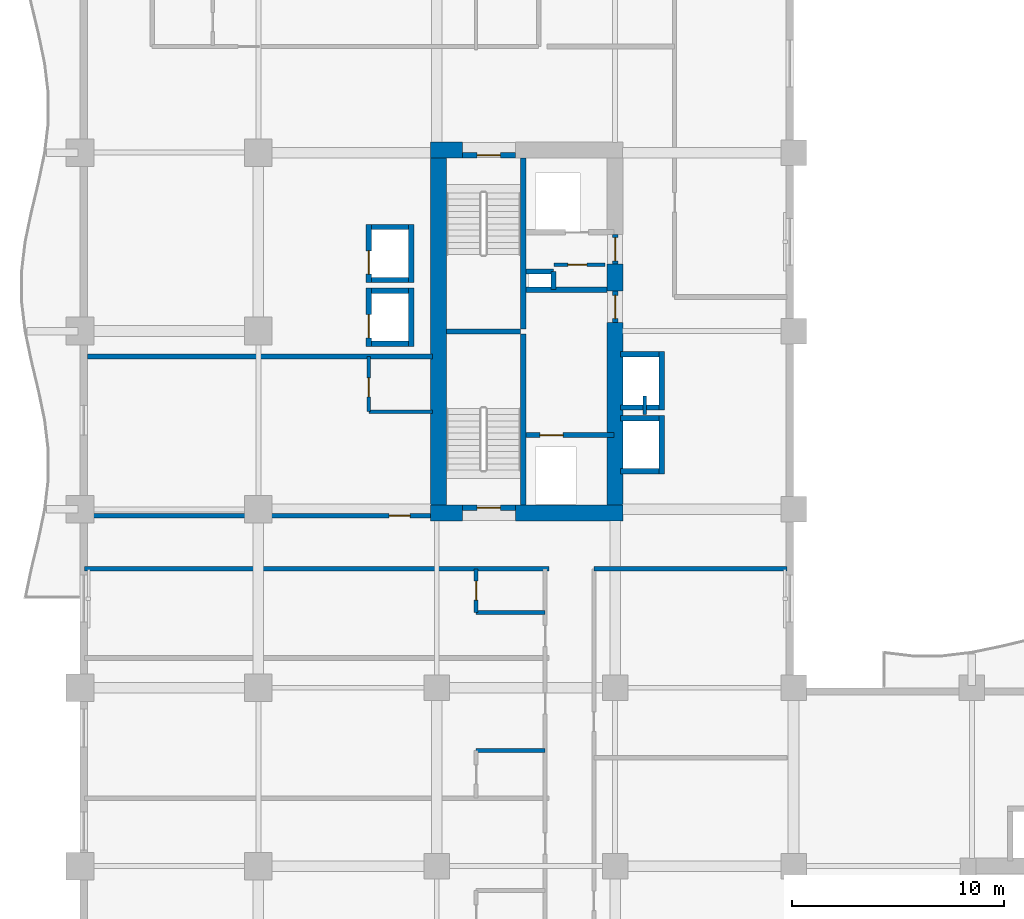
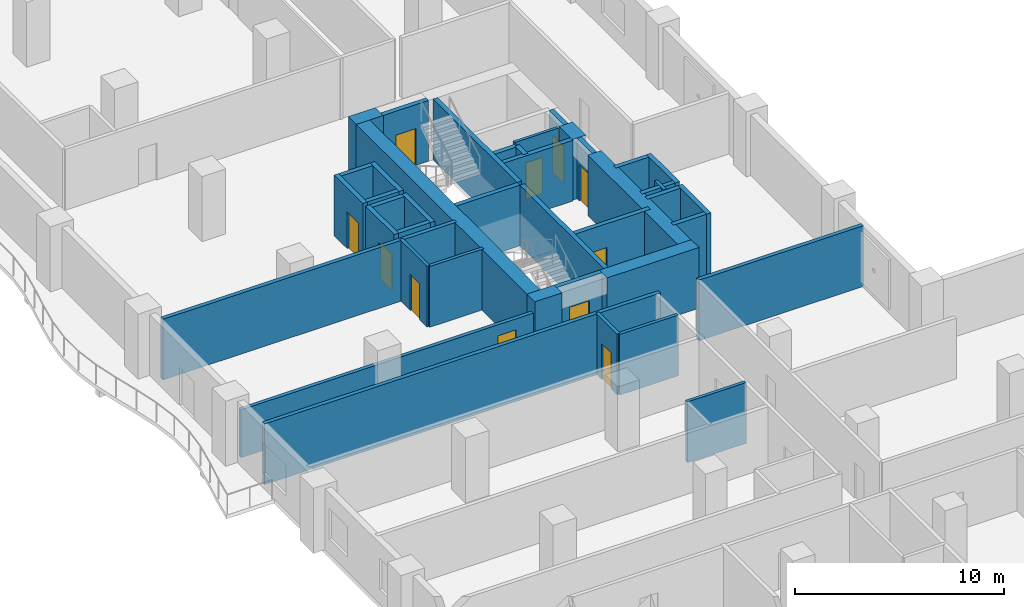
# One storey, part 8 of 18: 42 walls, 11 doors, 11 openings.
"""IFC4 building model written with IfcOpenShell, lengths in metres."""

from ifc_helpers import new_model, si_unit, direction, frame, frame_2d, origin, place, context, subcontext, project, spatial, rectangle, extrude, material, layer, layer_set, type_object, element, fill, save


model = new_model("IFC4")

# Units and contexts
model_context = context("Model", 3, precision=1e-05, world=origin(), true_north=direction((0.0, 1.0)))
body_context = subcontext(model_context, "Body", "Model", "MODEL_VIEW")
ifc_project = project(units=[si_unit("LENGTHUNIT", "METRE"), si_unit("AREAUNIT", "SQUARE_METRE"), si_unit("VOLUMEUNIT", "CUBIC_METRE"), si_unit("PLANEANGLEUNIT", "RADIAN"), si_unit("MASSUNIT", "GRAM", prefix="KILO")], contexts=[model_context])

# Site, building, storey
site_placement = place(None, origin())
site = spatial("IfcSite", under=ifc_project, at=site_placement, CompositionType="ELEMENT")
building_placement = place(site_placement, origin())
building = spatial("IfcBuilding", under=site, at=building_placement, Name="Koriwani Terraces Tower", CompositionType="ELEMENT")
storey_placement = place(building_placement, frame((0.0, 0.0, 115.199951171875)))
storey = spatial("IfcBuildingStorey", under=building, at=storey_placement, Name="L27", CompositionType="ELEMENT", Elevation=115.199951171875)

# Walls
ifc_material_1 = material(Name="Concrete C60/75", Category="concrete")
ifc_layer_1 = layer(ifc_material_1, 0.75, Name="Concrete C60/75")
ifc_layer_set_1 = layer_set([ifc_layer_1], Name="Concrete C60/75")
wall_type_1 = type_object("IfcWallType", Name="WALL_CORE_RC_750", PredefinedType="SHEAR", material=ifc_layer_set_1)
wall_1_placement = place(storey_placement, frame((16.5, 41.824951171875, 0.0), z_axis=(0.0, 0.0, 1.0), x_axis=(1.0, 0.0, 0.0)))
element("IfcWall", 1, at=wall_1_placement, inside=storey, type_object=wall_type_1, Name="L27 West Split Core Shear Wall S1", PredefinedType="SHEAR", context=body_context, shape_type="SweptSolid", body=[
    extrude(rectangle(XDim=1.5, YDim=0.75, at=frame_2d((0.75, 0.0))), origin(), (0.0, 0.0, 1.0), 3.550048828125),
])
wall_2_placement = place(storey_placement, frame((20.5, 41.824951171875, 0.0), z_axis=(0.0, 0.0, 1.0), x_axis=(1.0, 0.0, 0.0)))
element("IfcWall", 2, at=wall_2_placement, inside=storey, type_object=wall_type_1, Name="L27 West Split Core Shear Wall S2", PredefinedType="SHEAR", context=body_context, shape_type="SweptSolid", body=[
    extrude(rectangle(XDim=5.074951171875, YDim=0.75, at=frame_2d((2.53759765625, 0.0))), origin(), (0.0, 0.0, 1.0), 3.550048828125),
])
wall_3_placement = place(storey_placement, frame((16.5, 58.925048828125, 0.0), z_axis=(0.0, 0.0, 1.0), x_axis=(1.0, 0.0, 0.0)))
element("IfcWall", 3, at=wall_3_placement, inside=storey, type_object=wall_type_1, Name="L27 West Split Core Shear Wall N1", PredefinedType="SHEAR", context=body_context, shape_type="SweptSolid", body=[
    extrude(rectangle(XDim=1.5, YDim=0.75, at=frame_2d((0.75, 0.0))), origin(), (0.0, 0.0, 1.0), 3.550048828125),
])
wall_4_placement = place(storey_placement, frame((16.875, 42.199951171875, 0.0), z_axis=(0.0, 0.0, 1.0), x_axis=(0.0, 1.0, 0.0)))
element("IfcWall", 4, at=wall_4_placement, inside=storey, type_object=wall_type_1, Name="L27 West Split Core Shear Wall W1", PredefinedType="SHEAR", context=body_context, shape_type="SweptSolid", body=[
    extrude(rectangle(XDim=16.35009765625, YDim=0.75, at=frame_2d((8.175048828125, 0.0))), origin(), (0.0, 0.0, 1.0), 3.550048828125),
])
wall_5_placement = place(storey_placement, frame((25.199951171875, 42.199951171875, 0.0), z_axis=(0.0, 0.0, 1.0), x_axis=(0.0, 1.0, 0.0)))
element("IfcWall", 5, at=wall_5_placement, inside=storey, type_object=wall_type_1, Name="L27 West Split Core Shear Wall E1", PredefinedType="SHEAR", context=body_context, shape_type="SweptSolid", body=[
    extrude(rectangle(XDim=8.60009765625, YDim=0.75, at=frame_2d((4.300048828125, 0.0))), origin(), (0.0, 0.0, 1.0), 3.550048828125),
])
wall_6_placement = place(storey_placement, frame((25.199951171875, 52.280029296875, 0.0), z_axis=(0.0, 0.0, 1.0), x_axis=(0.0, 1.0, 0.0)))
element("IfcWall", 6, at=wall_6_placement, inside=storey, type_object=wall_type_1, Name="L27 West Split Core Shear Wall E2", PredefinedType="SHEAR", context=body_context, shape_type="SweptSolid", body=[
    extrude(rectangle(XDim=1.27001953125, YDim=0.75, at=frame_2d((0.635009765625, 0.0))), origin(), (0.0, 0.0, 1.0), 3.550048828125),
])

# Wall, opening, door
ifc_material_2 = material(Name="Autoclaved Cellular Concrete Blockwork", Category="masonry")
ifc_layer_2 = layer(ifc_material_2, 0.199951171875, Name="Autoclaved Cellular Concrete Blockwork")
ifc_layer_set_2 = layer_set([ifc_layer_2], Name="Autoclaved Cellular Concrete Blockwork")
wall_type_2 = type_object("IfcWallType", Name="WALL_CORRIDOR_200", PredefinedType="PARTITIONING", material=ifc_layer_set_2)
wall_7_placement = place(storey_placement, frame((0.35009765625, 41.699951171875, 0.0), z_axis=(0.0, 0.0, 1.0), x_axis=(1.0, 0.0, 0.0)))
wall_7 = element("IfcWall", 7, at=wall_7_placement, inside=storey, type_object=wall_type_2, Name="L27 Interior Wall WREC-WS-L27", PredefinedType="PARTITIONING", context=body_context, shape_type="SweptSolid", body=[
    extrude(rectangle(XDim=16.25, YDim=0.199951171875, at=frame_2d((8.125, 0.0))), origin(), (0.0, 0.0, 1.0), 2.800048828125),
])
opening_1_placement = place(wall_7_placement, frame((14.199951171875, 0.0, 0.0)))
opening_1 = element("IfcOpeningElement", 8, at=opening_1_placement, cuts=wall_7, Name="Opening D-05", PredefinedType="OPENING", context=body_context, shape_type="SweptSolid", body=[
    extrude(rectangle(XDim=1.0, YDim=2.14990234375, at=frame_2d((0.5, 1.074951171875))), frame((0.0, 0.10986328125, 0.0), z_axis=(0.0, -1.0, 0.0), x_axis=(1.0, 0.0, 0.0)), (0.0, 0.0, 1.0), 0.219970703125),
])
ifc_material_3 = material(Name="Architectural Oak Fire Door", Category="wood")
door_type_1 = type_object("IfcDoorType", Name="DOOR_SUITE_ENTRY_1000X2150", OperationType="NOTDEFINED", PredefinedType="DOOR", material=ifc_material_3)
door_1_placement = place(opening_1_placement, origin())
door_1 = element("IfcDoor", 9, at=door_1_placement, inside=storey, type_object=door_type_1, Name="L27 Reclaimed West Suite Door", OperationType="SINGLE_SWING_LEFT", OverallHeight=2.14990234375, OverallWidth=1.0, PredefinedType="DOOR", context=body_context, shape_type="SweptSolid", body=[
    extrude(rectangle(XDim=1.0, YDim=2.14990234375, at=frame_2d((0.5, 1.074951171875))), frame((0.0, 0.02490234375, 0.0), z_axis=(0.0, -1.0, 0.0), x_axis=(1.0, 0.0, 0.0)), (0.0, 0.0, 1.0), 0.050048828125),
])
fill(opening_1, door_1)

# Walls
ifc_layer_3 = layer(ifc_material_2, 0.219970703125, Name="Autoclaved Cellular Concrete Blockwork")
ifc_layer_set_3 = layer_set([ifc_layer_3], Name="Autoclaved Cellular Concrete Blockwork")
wall_type_3 = type_object("IfcWallType", Name="WALL_DEMISING_220", PredefinedType="PARTITIONING", material=ifc_layer_set_3)
wall_8_placement = place(storey_placement, frame((0.35009765625, 49.199951171875, 0.0), z_axis=(0.0, 0.0, 1.0), x_axis=(1.0, 0.0, 0.0)))
element("IfcWall", 10, at=wall_8_placement, inside=storey, type_object=wall_type_3, Name="L27 Interior Wall WREC-WN-L27", PredefinedType="PARTITIONING", context=body_context, shape_type="SweptSolid", body=[
    extrude(rectangle(XDim=16.25, YDim=0.219970703125, at=frame_2d((8.125, 0.0))), origin(), (0.0, 0.0, 1.0), 3.550048828125),
])
wall_9_placement = place(storey_placement, frame((24.199951171875, 39.199951171875, 0.0), z_axis=(0.0, 0.0, 1.0), x_axis=(1.0, 0.0, 0.0)))
element("IfcWall", 11, at=wall_9_placement, inside=storey, type_object=wall_type_3, Name="L27 Interior Wall WIC2-N-L27", PredefinedType="PARTITIONING", context=body_context, shape_type="SweptSolid", body=[
    extrude(rectangle(XDim=9.10009765625, YDim=0.219970703125, at=frame_2d((4.550048828125, 0.0))), origin(), (0.0, 0.0, 1.0), 3.550048828125),
])
wall_10_placement = place(storey_placement, frame((0.199951171875, 39.199951171875, 0.0), z_axis=(0.0, 0.0, 1.0), x_axis=(1.0, 0.0, 0.0)))
element("IfcWall", 12, at=wall_10_placement, inside=storey, type_object=wall_type_3, Name="L27 Interior Wall WDEME-L27-NW", PredefinedType="PARTITIONING", context=body_context, shape_type="SweptSolid", body=[
    extrude(rectangle(XDim=21.880126953125, YDim=0.219970703125, at=frame_2d((10.93994140625, 0.0))), origin(), (0.0, 0.0, 1.0), 3.550048828125),
])
ifc_material_4 = material(Name="Fire-Rated Acoustic Gypsum Partition", Category="masonry")
ifc_layer_4 = layer(ifc_material_4, 0.179931640625, Name="Fire-Rated Acoustic Gypsum Partition")
ifc_layer_set_4 = layer_set([ifc_layer_4], Name="Fire-Rated Acoustic Gypsum Partition")
wall_type_4 = type_object("IfcWallType", Name="WALL_PLUMBING_180", PredefinedType="PLUMBINGWALL", material=ifc_layer_set_4)
wall_11_placement = place(storey_placement, frame((13.60009765625, 46.60009765625, 0.0), z_axis=(0.0, 0.0, 1.0), x_axis=(1.0, 0.0, 0.0)))
element("IfcWall", 13, at=wall_11_placement, inside=storey, type_object=wall_type_4, Name="L27 Interior Wall WREC-WB1-L27", PredefinedType="PLUMBINGWALL", context=body_context, shape_type="SweptSolid", body=[
    extrude(rectangle(XDim=3.0, YDim=0.179931640625, at=frame_2d((1.5, 0.0))), origin(), (0.0, 0.0, 1.0), 3.550048828125),
])

# Wall, opening, door
wall_12_placement = place(storey_placement, frame((13.60009765625, 46.60009765625, 0.0), z_axis=(0.0, 0.0, 1.0), x_axis=(0.0, 1.0, 0.0)))
wall_12 = element("IfcWall", 14, at=wall_12_placement, inside=storey, type_object=wall_type_4, Name="L27 Interior Wall WREC-WB2-L27", PredefinedType="PLUMBINGWALL", context=body_context, shape_type="SweptSolid", body=[
    extrude(rectangle(XDim=2.599853515625, YDim=0.179931640625, at=frame_2d((1.2998046875, 0.0))), origin(), (0.0, 0.0, 1.0), 3.550048828125),
])
opening_2_placement = place(wall_12_placement, frame((0.699951171875, 0.0, 0.0)))
opening_2 = element("IfcOpeningElement", 15, at=opening_2_placement, cuts=wall_12, Name="Opening D-07", PredefinedType="OPENING", context=body_context, shape_type="SweptSolid", body=[
    extrude(rectangle(XDim=0.89990234375, YDim=2.10009765625, at=frame_2d((0.449951171875, 1.050048828125))), frame((0.0, 0.10009765625, 0.0), z_axis=(0.0, -1.0, 0.0), x_axis=(1.0, 0.0, 0.0)), (0.0, 0.0, 1.0), 0.199951171875),
])
door_type_2 = type_object("IfcDoorType", Name="DOOR_BATH_INT_900X2100", OperationType="NOTDEFINED", PredefinedType="DOOR", material=ifc_material_3)
door_2_placement = place(opening_2_placement, origin())
door_2 = element("IfcDoor", 16, at=door_2_placement, inside=storey, type_object=door_type_2, Name="L27 Reclaimed Suite En-Suite Door", OperationType="SINGLE_SWING_RIGHT", OverallHeight=2.10009765625, OverallWidth=0.89990234375, PredefinedType="DOOR", context=body_context, shape_type="SweptSolid", body=[
    extrude(rectangle(XDim=0.89990234375, YDim=2.10009765625, at=frame_2d((0.449951171875, 1.050048828125))), frame((0.0, 0.02490234375, 0.0), z_axis=(0.0, -1.0, 0.0), x_axis=(1.0, 0.0, 0.0)), (0.0, 0.0, 1.0), 0.050048828125),
])
fill(opening_2, door_2)

# Wall
wall_13_placement = place(storey_placement, frame((18.64990234375, 30.64990234375, 0.0), z_axis=(0.0, 0.0, 1.0), x_axis=(1.0, 0.0, 0.0)))
element("IfcWall", 17, at=wall_13_placement, inside=storey, type_object=wall_type_4, Name="L27 Interior Wall WBTH2-L27-NW-1", PredefinedType="PLUMBINGWALL", context=body_context, shape_type="SweptSolid", body=[
    extrude(rectangle(XDim=3.25, YDim=0.179931640625, at=frame_2d((1.625, 0.0))), origin(), (0.0, 0.0, 1.0), 3.550048828125),
])

# Wall, opening, door
wall_14_placement = place(storey_placement, frame((18.64990234375, 37.14990234375, 0.0), z_axis=(0.0, 0.0, 1.0), x_axis=(0.0, 1.0, 0.0)))
wall_14 = element("IfcWall", 18, at=wall_14_placement, inside=storey, type_object=wall_type_4, Name="L27 Interior Wall WBTH1-L27-NW-2", PredefinedType="PLUMBINGWALL", context=body_context, shape_type="SweptSolid", body=[
    extrude(rectangle(XDim=2.050048828125, YDim=0.179931640625, at=frame_2d((1.02490234375, 0.0))), origin(), (0.0, 0.0, 1.0), 3.550048828125),
])
opening_3_placement = place(wall_14_placement, frame((0.574951171875, 0.0, 0.0)))
opening_3 = element("IfcOpeningElement", 19, at=opening_3_placement, cuts=wall_14, Name="Opening D-07", PredefinedType="OPENING", context=body_context, shape_type="SweptSolid", body=[
    extrude(rectangle(XDim=0.89990234375, YDim=2.10009765625, at=frame_2d((0.449951171875, 1.050048828125))), frame((0.0, 0.10009765625, 0.0), z_axis=(0.0, -1.0, 0.0), x_axis=(1.0, 0.0, 0.0)), (0.0, 0.0, 1.0), 0.199951171875),
])
door_3_placement = place(opening_3_placement, origin())
door_3 = element("IfcDoor", 20, at=door_3_placement, inside=storey, type_object=door_type_2, Name="En-Suite Bathroom 27NW3 Door", OperationType="SINGLE_SWING_RIGHT", OverallHeight=2.10009765625, OverallWidth=0.89990234375, PredefinedType="DOOR", context=body_context, shape_type="SweptSolid", body=[
    extrude(rectangle(XDim=0.89990234375, YDim=2.10009765625, at=frame_2d((0.449951171875, 1.050048828125))), frame((0.0, 0.02490234375, 0.0), z_axis=(0.0, -1.0, 0.0), x_axis=(1.0, 0.0, 0.0)), (0.0, 0.0, 1.0), 0.050048828125),
])
fill(opening_3, door_3)

# Walls
wall_15_placement = place(storey_placement, frame((18.64990234375, 37.14990234375, 0.0), z_axis=(0.0, 0.0, 1.0), x_axis=(1.0, 0.0, 0.0)))
element("IfcWall", 21, at=wall_15_placement, inside=storey, type_object=wall_type_4, Name="L27 Interior Wall WBTH2-L27-NW-2", PredefinedType="PLUMBINGWALL", context=body_context, shape_type="SweptSolid", body=[
    extrude(rectangle(XDim=3.25, YDim=0.179931640625, at=frame_2d((1.625, 0.0))), origin(), (0.0, 0.0, 1.0), 3.550048828125),
])
ifc_material_5 = material(Name="Concrete C40/50", Category="concrete")
ifc_layer_5 = layer(ifc_material_5, 0.25, Name="Concrete C40/50")
ifc_layer_set_5 = layer_set([ifc_layer_5], Name="Concrete C40/50")
wall_type_5 = type_object("IfcWallType", Name="WALL_SHAFT_RATED_250", PredefinedType="SOLIDWALL", material=ifc_layer_set_5)
for number, where, z_axis, x_axis, name in (
    (22, (20.875, 42.199951171875, 0.0), (0.0, 0.0, 1.0), (0.0, 1.0, 0.0), "L27 West Split Core Web Wall MID1"),
    (23, (20.875, 50.5, 0.0), (0.0, 0.0, 1.0), (0.0, 1.0, 0.0), "L27 West Split Core Web Wall MID2"),
):
    element("IfcWall", number, at=place(storey_placement, frame(where, z_axis=z_axis, x_axis=x_axis)), inside=storey, type_object=wall_type_5, Name=name, PredefinedType="SOLIDWALL", context=body_context, shape_type="SweptSolid", body=[
        extrude(rectangle(XDim=8.050048828125, YDim=0.25, at=frame_2d((4.02490234375, 0.0))), origin(), (0.0, 0.0, 1.0), 3.550048828125),
    ])
wall_16_placement = place(storey_placement, frame((17.25, 50.375, 0.0), z_axis=(0.0, 0.0, 1.0), x_axis=(1.0, 0.0, 0.0)))
element("IfcWall", 24, at=wall_16_placement, inside=storey, type_object=wall_type_5, Name="L27 West Split Core Stair Dividing Wall", PredefinedType="SOLIDWALL", context=body_context, shape_type="SweptSolid", body=[
    extrude(rectangle(XDim=3.5, YDim=0.25, at=frame_2d((1.75, 0.0))), origin(), (0.0, 0.0, 1.0), 3.550048828125),
])

# Wall, opening, door
wall_17_placement = place(storey_placement, frame((18.0, 42.074951171875, 0.0), z_axis=(0.0, 0.0, 1.0), x_axis=(1.0, 0.0, 0.0)))
wall_17 = element("IfcWall", 25, at=wall_17_placement, inside=storey, type_object=wall_type_5, Name="L27 Interior Wall WIN-CW-L27-STS", PredefinedType="SOLIDWALL", context=body_context, shape_type="SweptSolid", body=[
    extrude(rectangle(XDim=2.5, YDim=0.25, at=frame_2d((1.25, 0.0))), origin(), (0.0, 0.0, 1.0), 3.550048828125),
])
opening_4_placement = place(wall_17_placement, frame((0.699951171875, 0.0, 0.0)))
opening_4 = element("IfcOpeningElement", 26, at=opening_4_placement, cuts=wall_17, Name="Opening D-03", PredefinedType="OPENING", context=body_context, shape_type="SweptSolid", body=[
    extrude(rectangle(XDim=1.10009765625, YDim=2.14990234375, at=frame_2d((0.550048828125, 1.074951171875))), frame((0.0, 0.135009765625, 0.0), z_axis=(0.0, -1.0, 0.0), x_axis=(1.0, 0.0, 0.0)), (0.0, 0.0, 1.0), 0.27001953125),
])
ifc_material_6 = material(Name="Steel ASTM A572 Grade 50", Category="steel")
door_type_3 = type_object("IfcDoorType", Name="DOOR_STAIR_FIRE_1100X2150", OperationType="NOTDEFINED", PredefinedType="DOOR", material=ifc_material_6)
door_4_placement = place(opening_4_placement, origin())
door_4 = element("IfcDoor", 27, at=door_4_placement, inside=storey, type_object=door_type_3, Name="L27 Exit Stair ST-W1 Door", OperationType="SINGLE_SWING_LEFT", OverallHeight=2.14990234375, OverallWidth=1.10009765625, PredefinedType="DOOR", context=body_context, shape_type="SweptSolid", body=[
    extrude(rectangle(XDim=1.10009765625, YDim=2.14990234375, at=frame_2d((0.550048828125, 1.074951171875))), frame((0.0, 0.02490234375, 0.0), z_axis=(0.0, -1.0, 0.0), x_axis=(1.0, 0.0, 0.0)), (0.0, 0.0, 1.0), 0.050048828125),
])
fill(opening_4, door_4)

wall_18_placement = place(storey_placement, frame((18.0, 58.675048828125, 0.0), z_axis=(0.0, 0.0, 1.0), x_axis=(1.0, 0.0, 0.0)))
wall_18 = element("IfcWall", 28, at=wall_18_placement, inside=storey, type_object=wall_type_5, Name="L27 Interior Wall WIN-CW-L27-STN", PredefinedType="SOLIDWALL", context=body_context, shape_type="SweptSolid", body=[
    extrude(rectangle(XDim=2.5, YDim=0.25, at=frame_2d((1.25, 0.0))), origin(), (0.0, 0.0, 1.0), 3.550048828125),
])
opening_5_placement = place(wall_18_placement, frame((0.699951171875, 0.0, 0.0)))
opening_5 = element("IfcOpeningElement", 29, at=opening_5_placement, cuts=wall_18, Name="Opening D-03", PredefinedType="OPENING", context=body_context, shape_type="SweptSolid", body=[
    extrude(rectangle(XDim=1.10009765625, YDim=2.14990234375, at=frame_2d((0.550048828125, 1.074951171875))), frame((0.0, 0.135009765625, 0.0), z_axis=(0.0, -1.0, 0.0), x_axis=(1.0, 0.0, 0.0)), (0.0, 0.0, 1.0), 0.27001953125),
])
door_5_placement = place(opening_5_placement, origin())
door_5 = element("IfcDoor", 30, at=door_5_placement, inside=storey, type_object=door_type_3, Name="L27 Exit Stair ST-W2 Door", OperationType="SINGLE_SWING_RIGHT", OverallHeight=2.14990234375, OverallWidth=1.10009765625, PredefinedType="DOOR", context=body_context, shape_type="SweptSolid", body=[
    extrude(rectangle(XDim=1.10009765625, YDim=2.14990234375, at=frame_2d((0.550048828125, 1.074951171875))), frame((0.0, 0.02490234375, 0.0), z_axis=(0.0, -1.0, 0.0), x_axis=(1.0, 0.0, 0.0)), (0.0, 0.0, 1.0), 0.050048828125),
])
fill(opening_5, door_5)

wall_19_placement = place(storey_placement, frame((21.0, 45.5, 0.0), z_axis=(0.0, 0.0, 1.0), x_axis=(1.0, 0.0, 0.0)))
wall_19 = element("IfcWall", 31, at=wall_19_placement, inside=storey, type_object=wall_type_5, Name="L27 Interior Wall WIN-CW-L27-FE", PredefinedType="SOLIDWALL", context=body_context, shape_type="SweptSolid", body=[
    extrude(rectangle(XDim=4.14990234375, YDim=0.25, at=frame_2d((2.074951171875, 0.0))), origin(), (0.0, 0.0, 1.0), 3.550048828125),
])
opening_6_placement = place(wall_19_placement, frame((0.64990234375, 0.0, 0.0)))
opening_6 = element("IfcOpeningElement", 32, at=opening_6_placement, cuts=wall_19, Name="Opening LD-01", PredefinedType="OPENING", context=body_context, shape_type="SweptSolid", body=[
    extrude(rectangle(XDim=1.10009765625, YDim=2.14990234375, at=frame_2d((0.550048828125, 1.074951171875))), frame((0.0, 0.135009765625, 0.0), z_axis=(0.0, -1.0, 0.0), x_axis=(1.0, 0.0, 0.0)), (0.0, 0.0, 1.0), 0.27001953125),
])
door_type_4 = type_object("IfcDoorType", Name="DOOR_LIFT_LANDING_1100X2200", OperationType="NOTDEFINED", PredefinedType="DOOR", material=ifc_material_6)
door_6_placement = place(opening_6_placement, origin())
door_6 = element("IfcDoor", 33, at=door_6_placement, inside=storey, type_object=door_type_4, Name="L27 Firefighting Lift FE-01 Landing Door", OperationType="SLIDING_TO_LEFT", OverallHeight=2.14990234375, OverallWidth=1.10009765625, PredefinedType="DOOR", context=body_context, shape_type="SweptSolid", body=[
    extrude(rectangle(XDim=1.10009765625, YDim=2.14990234375, at=frame_2d((0.550048828125, 1.074951171875))), frame((0.0, 0.02490234375, 0.0), z_axis=(0.0, -1.0, 0.0), x_axis=(1.0, 0.0, 0.0)), (0.0, 0.0, 1.0), 0.050048828125),
])
fill(opening_6, door_6)

wall_20_placement = place(storey_placement, frame((25.199951171875, 50.800048828125, 0.0), z_axis=(0.0, 0.0, 1.0), x_axis=(0.0, 1.0, 0.0)))
wall_20 = element("IfcWall", 34, at=wall_20_placement, inside=storey, type_object=wall_type_5, Name="L27 Interior Wall WIN-CW-L27-EP", PredefinedType="SOLIDWALL", context=body_context, shape_type="SweptSolid", body=[
    extrude(rectangle(XDim=1.47998046875, YDim=0.25, at=frame_2d((0.739990234375, 0.0))), origin(), (0.0, 0.0, 1.0), 3.550048828125),
])
opening_7_placement = place(wall_20_placement, frame((0.179931640625, 0.0, 0.0)))
opening_7 = element("IfcOpeningElement", 35, at=opening_7_placement, cuts=wall_20, Name="Opening D-03", PredefinedType="OPENING", context=body_context, shape_type="SweptSolid", body=[
    extrude(rectangle(XDim=1.10009765625, YDim=2.14990234375, at=frame_2d((0.550048828125, 1.074951171875))), frame((0.0, 0.135009765625, 0.0), z_axis=(0.0, -1.0, 0.0), x_axis=(1.0, 0.0, 0.0)), (0.0, 0.0, 1.0), 0.27001953125),
])
door_7_placement = place(opening_7_placement, origin())
door_7 = element("IfcDoor", 36, at=door_7_placement, inside=storey, type_object=door_type_3, Name="L27 West Firefighting Lobby Door", OperationType="SINGLE_SWING_LEFT", OverallHeight=2.14990234375, OverallWidth=1.10009765625, PredefinedType="DOOR", context=body_context, shape_type="SweptSolid", body=[
    extrude(rectangle(XDim=1.10009765625, YDim=2.14990234375, at=frame_2d((0.550048828125, 1.074951171875))), frame((0.0, 0.02490234375, 0.0), z_axis=(0.0, -1.0, 0.0), x_axis=(1.0, 0.0, 0.0)), (0.0, 0.0, 1.0), 0.050048828125),
])
fill(opening_7, door_7)

# Wall
wall_21_placement = place(storey_placement, frame((21.0, 52.340087890625, 0.0), z_axis=(0.0, 0.0, 1.0), x_axis=(1.0, 0.0, 0.0)))
element("IfcWall", 37, at=wall_21_placement, inside=storey, type_object=wall_type_5, Name="L27 Interior Wall WIN-CW-L27-FFN", PredefinedType="SOLIDWALL", context=body_context, shape_type="SweptSolid", body=[
    extrude(rectangle(XDim=3.824951171875, YDim=0.25, at=frame_2d((1.91259765625, 0.0))), origin(), (0.0, 0.0, 1.0), 3.550048828125),
])

# Wall, opening, door
wall_22_placement = place(storey_placement, frame((25.199951171875, 53.550048828125, 0.0), z_axis=(0.0, 0.0, 1.0), x_axis=(0.0, 1.0, 0.0)))
wall_22 = element("IfcWall", 38, at=wall_22_placement, inside=storey, type_object=wall_type_5, Name="L27 Interior Wall WIN-CW-L27-EP2", PredefinedType="SOLIDWALL", context=body_context, shape_type="SweptSolid", body=[
    extrude(rectangle(XDim=1.39990234375, YDim=0.25, at=frame_2d((0.699951171875, 0.0))), origin(), (0.0, 0.0, 1.0), 3.550048828125),
])
opening_8_placement = place(wall_22_placement, frame((0.14990234375, 0.0, 0.0)))
opening_8 = element("IfcOpeningElement", 39, at=opening_8_placement, cuts=wall_22, Name="Opening D-03", PredefinedType="OPENING", context=body_context, shape_type="SweptSolid", body=[
    extrude(rectangle(XDim=1.10009765625, YDim=2.14990234375, at=frame_2d((0.550048828125, 1.074951171875))), frame((0.0, 0.135009765625, 0.0), z_axis=(0.0, -1.0, 0.0), x_axis=(1.0, 0.0, 0.0)), (0.0, 0.0, 1.0), 0.27001953125),
])
door_8_placement = place(opening_8_placement, origin())
door_8 = element("IfcDoor", 40, at=door_8_placement, inside=storey, type_object=door_type_3, Name="L27 West Goods Lift Lobby Door", OperationType="SINGLE_SWING_RIGHT", OverallHeight=2.14990234375, OverallWidth=1.10009765625, PredefinedType="DOOR", context=body_context, shape_type="SweptSolid", body=[
    extrude(rectangle(XDim=1.10009765625, YDim=2.14990234375, at=frame_2d((0.550048828125, 1.074951171875))), frame((0.0, 0.02490234375, 0.0), z_axis=(0.0, -1.0, 0.0), x_axis=(1.0, 0.0, 0.0)), (0.0, 0.0, 1.0), 0.050048828125),
])
fill(opening_8, door_8)

# Walls
wall_23_placement = place(storey_placement, frame((21.0, 53.199951171875, 0.0), z_axis=(0.0, 0.0, 1.0), x_axis=(1.0, 0.0, 0.0)))
element("IfcWall", 41, at=wall_23_placement, inside=storey, type_object=wall_type_5, Name="L27 Interior Wall WIN-CW-L27-RS1", PredefinedType="SOLIDWALL", context=body_context, shape_type="SweptSolid", body=[
    extrude(rectangle(XDim=1.300048828125, YDim=0.25, at=frame_2d((0.64990234375, 0.0))), origin(), (0.0, 0.0, 1.0), 3.550048828125),
])
wall_24_placement = place(storey_placement, frame((22.300048828125, 52.360107421875, 0.0), z_axis=(0.0, 0.0, 1.0), x_axis=(0.0, 1.0, 0.0)))
element("IfcWall", 42, at=wall_24_placement, inside=storey, type_object=wall_type_5, Name="L27 Interior Wall WIN-CW-L27-RS2", PredefinedType="SOLIDWALL", context=body_context, shape_type="SweptSolid", body=[
    extrude(rectangle(XDim=0.83984375, YDim=0.25, at=frame_2d((0.419921875, 0.0))), origin(), (0.0, 0.0, 1.0), 3.550048828125),
])

# Wall, opening, door
wall_25_placement = place(storey_placement, frame((13.60009765625, 49.675048828125, 0.0), z_axis=(0.0, 0.0, 1.0), x_axis=(0.0, 1.0, 0.0)))
wall_25 = element("IfcWall", 43, at=wall_25_placement, inside=storey, type_object=wall_type_5, Name="L27 Interior Wall WIN-LF-PE-M1-L27-F", PredefinedType="SOLIDWALL", context=body_context, shape_type="SweptSolid", body=[
    extrude(rectangle(XDim=2.75, YDim=0.25, at=frame_2d((1.375, 0.0))), origin(), (0.0, 0.0, 1.0), 3.550048828125),
])
opening_9_placement = place(wall_25_placement, frame((0.39990234375, 0.0, 0.0)))
opening_9 = element("IfcOpeningElement", 44, at=opening_9_placement, cuts=wall_25, Name="Opening LD-01", PredefinedType="OPENING", context=body_context, shape_type="SweptSolid", body=[
    extrude(rectangle(XDim=1.10009765625, YDim=2.14990234375, at=frame_2d((0.550048828125, 1.074951171875))), frame((0.0, 0.135009765625, 0.0), z_axis=(0.0, -1.0, 0.0), x_axis=(1.0, 0.0, 0.0)), (0.0, 0.0, 1.0), 0.27001953125),
])
door_9_placement = place(opening_9_placement, origin())
door_9 = element("IfcDoor", 45, at=door_9_placement, inside=storey, type_object=door_type_4, Name="L27 Passenger Lift PE-M1 Landing Door", OperationType="SLIDING_TO_LEFT", OverallHeight=2.14990234375, OverallWidth=1.10009765625, PredefinedType="DOOR", context=body_context, shape_type="SweptSolid", body=[
    extrude(rectangle(XDim=1.10009765625, YDim=2.14990234375, at=frame_2d((0.550048828125, 1.074951171875))), frame((0.0, 0.02490234375, 0.0), z_axis=(0.0, -1.0, 0.0), x_axis=(1.0, 0.0, 0.0)), (0.0, 0.0, 1.0), 0.050048828125),
])
fill(opening_9, door_9)

# Walls
wall_26_placement = place(storey_placement, frame((15.60009765625, 49.675048828125, 0.0), z_axis=(0.0, 0.0, 1.0), x_axis=(0.0, 1.0, 0.0)))
element("IfcWall", 46, at=wall_26_placement, inside=storey, type_object=wall_type_5, Name="L27 Interior Wall WIN-LF-PE-M1-L27-B", PredefinedType="SOLIDWALL", context=body_context, shape_type="SweptSolid", body=[
    extrude(rectangle(XDim=2.75, YDim=0.25, at=frame_2d((1.375, 0.0))), origin(), (0.0, 0.0, 1.0), 3.550048828125),
])
for number, where, z_axis, x_axis, name in (
    (47, (13.72509765625, 49.800048828125, 0.0), (0.0, 0.0, 1.0), (1.0, 0.0, 0.0), "L27 Interior Wall WIN-LF-PE-M1-L27-S"),
    (48, (13.72509765625, 52.300048828125, 0.0), (0.0, 0.0, 1.0), (1.0, 0.0, 0.0), "L27 Interior Wall WIN-LF-PE-M1-L27-N"),
):
    element("IfcWall", number, at=place(storey_placement, frame(where, z_axis=z_axis, x_axis=x_axis)), inside=storey, type_object=wall_type_5, Name=name, PredefinedType="SOLIDWALL", context=body_context, shape_type="SweptSolid", body=[
        extrude(rectangle(XDim=1.75, YDim=0.25, at=frame_2d((0.875, 0.0))), origin(), (0.0, 0.0, 1.0), 3.550048828125),
    ])

# Wall, opening, door
wall_27_placement = place(storey_placement, frame((13.60009765625, 52.675048828125, 0.0), z_axis=(0.0, 0.0, 1.0), x_axis=(0.0, 1.0, 0.0)))
wall_27 = element("IfcWall", 49, at=wall_27_placement, inside=storey, type_object=wall_type_5, Name="L27 Interior Wall WIN-LF-PE-M2-L27-F", PredefinedType="SOLIDWALL", context=body_context, shape_type="SweptSolid", body=[
    extrude(rectangle(XDim=2.75, YDim=0.25, at=frame_2d((1.375, 0.0))), origin(), (0.0, 0.0, 1.0), 3.550048828125),
])
opening_10_placement = place(wall_27_placement, frame((0.39990234375, 0.0, 0.0)))
opening_10 = element("IfcOpeningElement", 50, at=opening_10_placement, cuts=wall_27, Name="Opening LD-01", PredefinedType="OPENING", context=body_context, shape_type="SweptSolid", body=[
    extrude(rectangle(XDim=1.10009765625, YDim=2.14990234375, at=frame_2d((0.550048828125, 1.074951171875))), frame((0.0, 0.135009765625, 0.0), z_axis=(0.0, -1.0, 0.0), x_axis=(1.0, 0.0, 0.0)), (0.0, 0.0, 1.0), 0.27001953125),
])
door_10_placement = place(opening_10_placement, origin())
door_10 = element("IfcDoor", 51, at=door_10_placement, inside=storey, type_object=door_type_4, Name="L27 Passenger Lift PE-M2 Landing Door", OperationType="SLIDING_TO_LEFT", OverallHeight=2.14990234375, OverallWidth=1.10009765625, PredefinedType="DOOR", context=body_context, shape_type="SweptSolid", body=[
    extrude(rectangle(XDim=1.10009765625, YDim=2.14990234375, at=frame_2d((0.550048828125, 1.074951171875))), frame((0.0, 0.02490234375, 0.0), z_axis=(0.0, -1.0, 0.0), x_axis=(1.0, 0.0, 0.0)), (0.0, 0.0, 1.0), 0.050048828125),
])
fill(opening_10, door_10)

# Walls
wall_28_placement = place(storey_placement, frame((15.60009765625, 52.675048828125, 0.0), z_axis=(0.0, 0.0, 1.0), x_axis=(0.0, 1.0, 0.0)))
element("IfcWall", 52, at=wall_28_placement, inside=storey, type_object=wall_type_5, Name="L27 Interior Wall WIN-LF-PE-M2-L27-B", PredefinedType="SOLIDWALL", context=body_context, shape_type="SweptSolid", body=[
    extrude(rectangle(XDim=2.75, YDim=0.25, at=frame_2d((1.375, 0.0))), origin(), (0.0, 0.0, 1.0), 3.550048828125),
])
for number, where, z_axis, x_axis, name in (
    (53, (13.72509765625, 52.800048828125, 0.0), (0.0, 0.0, 1.0), (1.0, 0.0, 0.0), "L27 Interior Wall WIN-LF-PE-M2-L27-S"),
    (54, (13.72509765625, 55.300048828125, 0.0), (0.0, 0.0, 1.0), (1.0, 0.0, 0.0), "L27 Interior Wall WIN-LF-PE-M2-L27-N"),
):
    element("IfcWall", number, at=place(storey_placement, frame(where, z_axis=z_axis, x_axis=x_axis)), inside=storey, type_object=wall_type_5, Name=name, PredefinedType="SOLIDWALL", context=body_context, shape_type="SweptSolid", body=[
        extrude(rectangle(XDim=1.75, YDim=0.25, at=frame_2d((0.875, 0.0))), origin(), (0.0, 0.0, 1.0), 3.550048828125),
    ])
wall_29_placement = place(storey_placement, frame((27.39990234375, 43.675048828125, 0.0), z_axis=(0.0, 0.0, 1.0), x_axis=(0.0, 1.0, 0.0)))
element("IfcWall", 55, at=wall_29_placement, inside=storey, type_object=wall_type_5, Name="L27 Interior Wall WIN-LF-PE-H1-L27-F", PredefinedType="SOLIDWALL", context=body_context, shape_type="SweptSolid", body=[
    extrude(rectangle(XDim=2.75, YDim=0.25, at=frame_2d((1.375, 0.0))), origin(), (0.0, 0.0, 1.0), 3.550048828125),
])
for number, where, z_axis, x_axis, name in (
    (56, (25.449951171875, 43.800048828125, 0.0), (0.0, 0.0, 1.0), (1.0, 0.0, 0.0), "L27 Interior Wall WIN-LF-PE-H1-L27-S"),
    (57, (25.449951171875, 46.300048828125, 0.0), (0.0, 0.0, 1.0), (1.0, 0.0, 0.0), "L27 Interior Wall WIN-LF-PE-H1-L27-N"),
):
    element("IfcWall", number, at=place(storey_placement, frame(where, z_axis=z_axis, x_axis=x_axis)), inside=storey, type_object=wall_type_5, Name=name, PredefinedType="SOLIDWALL", context=body_context, shape_type="SweptSolid", body=[
        extrude(rectangle(XDim=1.824951171875, YDim=0.25, at=frame_2d((0.91259765625, 0.0))), origin(), (0.0, 0.0, 1.0), 3.550048828125),
    ])
wall_30_placement = place(storey_placement, frame((27.39990234375, 46.675048828125, 0.0), z_axis=(0.0, 0.0, 1.0), x_axis=(0.0, 1.0, 0.0)))
element("IfcWall", 58, at=wall_30_placement, inside=storey, type_object=wall_type_5, Name="L27 Interior Wall WIN-LF-PE-H2-L27-F", PredefinedType="SOLIDWALL", context=body_context, shape_type="SweptSolid", body=[
    extrude(rectangle(XDim=2.75, YDim=0.25, at=frame_2d((1.375, 0.0))), origin(), (0.0, 0.0, 1.0), 3.550048828125),
])
for number, where, z_axis, x_axis, name in (
    (59, (25.449951171875, 46.800048828125, 0.0), (0.0, 0.0, 1.0), (1.0, 0.0, 0.0), "L27 Interior Wall WIN-LF-PE-H2-L27-S"),
    (60, (25.449951171875, 49.300048828125, 0.0), (0.0, 0.0, 1.0), (1.0, 0.0, 0.0), "L27 Interior Wall WIN-LF-PE-H2-L27-N"),
):
    element("IfcWall", number, at=place(storey_placement, frame(where, z_axis=z_axis, x_axis=x_axis)), inside=storey, type_object=wall_type_5, Name=name, PredefinedType="SOLIDWALL", context=body_context, shape_type="SweptSolid", body=[
        extrude(rectangle(XDim=1.824951171875, YDim=0.25, at=frame_2d((0.91259765625, 0.0))), origin(), (0.0, 0.0, 1.0), 3.550048828125),
    ])

# Wall, opening, door
ifc_layer_6 = layer(ifc_material_4, 0.159912109375, Name="Fire-Rated Acoustic Gypsum Partition")
ifc_layer_set_6 = layer_set([ifc_layer_6], Name="Fire-Rated Acoustic Gypsum Partition")
wall_type_6 = type_object("IfcWallType", Name="WALL_SUITE_160", PredefinedType="PARTITIONING", material=ifc_layer_set_6)
wall_31_placement = place(storey_placement, frame((22.320068359375, 53.52001953125, 0.0), z_axis=(0.0, 0.0, 1.0), x_axis=(1.0, 0.0, 0.0)))
wall_31 = element("IfcWall", 61, at=wall_31_placement, inside=storey, type_object=wall_type_6, Name="L27 Interior Wall WIN-CW-L27-SV0", PredefinedType="PARTITIONING", context=body_context, shape_type="SweptSolid", body=[
    extrude(rectangle(XDim=2.39990234375, YDim=0.159912109375, at=frame_2d((1.199951171875, 0.0))), origin(), (0.0, 0.0, 1.0), 3.550048828125),
])
opening_11_placement = place(wall_31_placement, frame((0.64990234375, 0.0, 0.0)))
opening_11 = element("IfcOpeningElement", 62, at=opening_11_placement, cuts=wall_31, Name="Opening D-07", PredefinedType="OPENING", context=body_context, shape_type="SweptSolid", body=[
    extrude(rectangle(XDim=0.89990234375, YDim=2.10009765625, at=frame_2d((0.449951171875, 1.050048828125))), frame((0.0, 0.08984375, 0.0), z_axis=(0.0, -1.0, 0.0), x_axis=(1.0, 0.0, 0.0)), (0.0, 0.0, 1.0), 0.179931640625),
])
door_11_placement = place(opening_11_placement, origin())
door_11 = element("IfcDoor", 63, at=door_11_placement, inside=storey, type_object=door_type_2, Name="L27 West Electrical Switch Room Door", OperationType="SINGLE_SWING_LEFT", OverallHeight=2.10009765625, OverallWidth=0.89990234375, PredefinedType="DOOR", context=body_context, shape_type="SweptSolid", body=[
    extrude(rectangle(XDim=0.89990234375, YDim=2.10009765625, at=frame_2d((0.449951171875, 1.050048828125))), frame((0.0, 0.02490234375, 0.0), z_axis=(0.0, -1.0, 0.0), x_axis=(1.0, 0.0, 0.0)), (0.0, 0.0, 1.0), 0.050048828125),
])
fill(opening_11, door_11)

# Wall
wall_32_placement = place(storey_placement, frame((26.60009765625, 46.4599609375, 0.0), z_axis=(0.0, 0.0, 1.0), x_axis=(0.0, 1.0, 0.0)))
element("IfcWall", 64, at=wall_32_placement, inside=storey, type_object=wall_type_6, Name="L27 Interior Wall WIN-LF-PEH12-MID-L27", PredefinedType="PARTITIONING", context=body_context, shape_type="SweptSolid", body=[
    extrude(rectangle(XDim=0.880126953125, YDim=0.159912109375, at=frame_2d((0.43994140625, 0.0))), origin(), (0.0, 0.0, 1.0), 3.550048828125),
])

save(model, "model.ifc")
